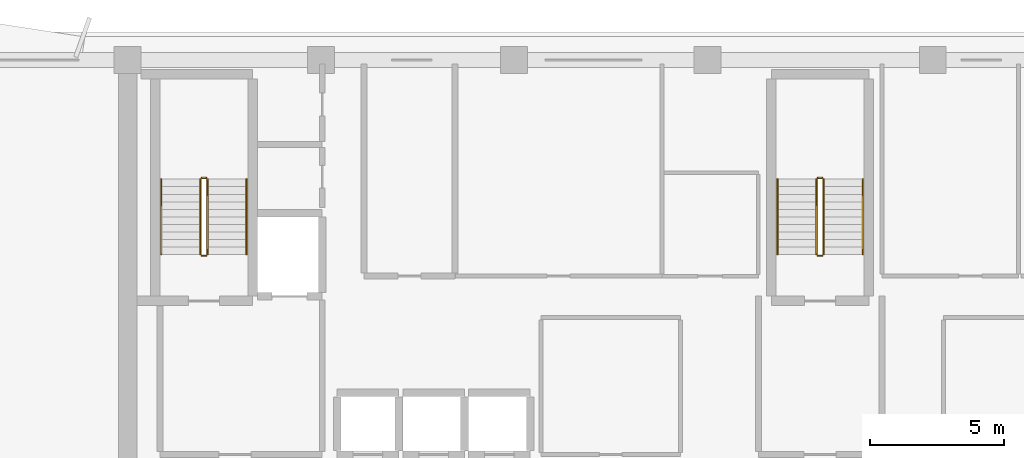
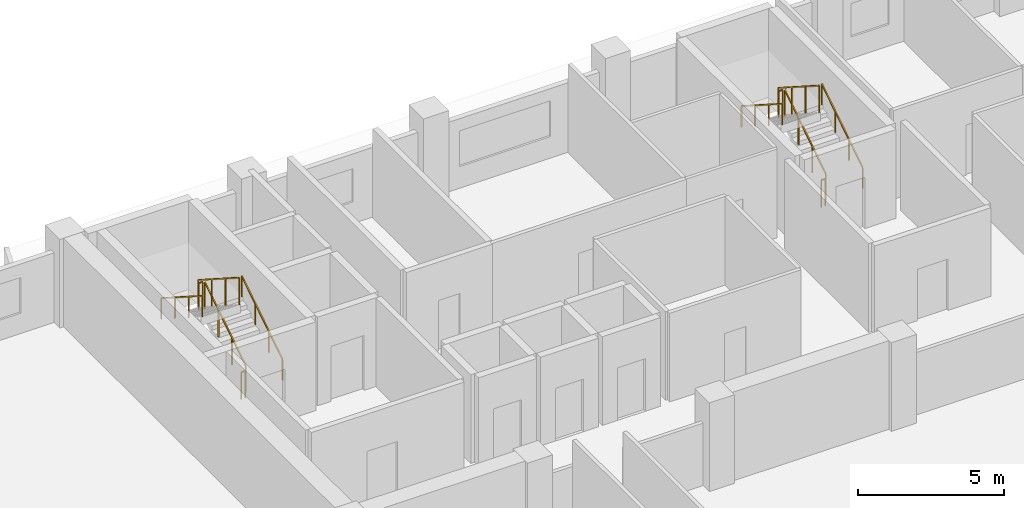
# One storey, part 10 of 11: 12 railings.
"""IFC4 building model written with IfcOpenShell, lengths in metres."""

import ifcopenshell
import ifcopenshell.guid

model = None  # the IFC model being written
_history = None  # IfcOwnerHistory: only IFC2X3 demands one
_inside = {}  # id of a spatial element -> (the spatial element, [elements in it])
_under = {}  # id of a project, library or spatial element -> (it, [spatial elements below it])
_declared = {}  # id of a project -> (the project, [libraries it declares])
_typed = {}  # id of a type object -> (the type object, [elements of that type])
_made_of = {}  # id of a material, layer set ... -> (it, [elements and type objects made of it])


def new_model(schema):
    """Start an empty IFC model of exactly this schema.

    Asked for "IFC4X3", IfcOpenShell would pick the latest addendum, in which some entities
    have other attributes; the version numbers below select the first issue.
    IFC2X3 requires an IfcOwnerHistory on every rooted entity: one is made here for all.
    """
    global model, _history
    if schema == "IFC4X3":
        model = ifcopenshell.file(schema_version=(4, 3, 0, 0))
    else:
        model = ifcopenshell.file(schema=schema)
    _inside.clear()
    _under.clear()
    _declared.clear()
    _typed.clear()
    _made_of.clear()
    _history = None
    if model.schema == "IFC2X3":
        org = make("IfcOrganization", Name="unknown")
        user = make(
            "IfcPersonAndOrganization",
            ThePerson=make("IfcPerson", FamilyName="unknown"),
            TheOrganization=org,
        )
        app = make(
            "IfcApplication",
            ApplicationDeveloper=org,
            Version="unknown",
            ApplicationFullName="unknown",
            ApplicationIdentifier="unknown",
        )
        _history = make(
            "IfcOwnerHistory",
            OwningUser=user,
            OwningApplication=app,
            ChangeAction="ADDED",
            CreationDate=0,
        )
    return model


def make(cls, **values):
    """One entity of the class cls with the attributes given. An attribute that is None is left unset."""
    return model.create_entity(
        cls, **{name: value for name, value in values.items() if value is not None}
    )


def rooted(cls, **values):
    """An entity with a GlobalId (a new one), such as an element, a storey or a relation."""
    return make(cls, GlobalId=ifcopenshell.guid.new(), OwnerHistory=_history, **values)


def si_unit(unit_type, name, prefix=None):
    """IfcSIUnit, for example si_unit("LENGTHUNIT", "METRE", prefix="MILLI")."""
    return make("IfcSIUnit", UnitType=unit_type, Prefix=prefix, Name=name)


def assignment(units):
    """IfcUnitAssignment: the units of a project."""
    return None if units is None else make("IfcUnitAssignment", Units=units)


def point(xyz):
    """IfcCartesianPoint."""
    return None if xyz is None else make("IfcCartesianPoint", Coordinates=xyz)


def direction(xyz):
    """IfcDirection."""
    return None if xyz is None else make("IfcDirection", DirectionRatios=xyz)


def frame(location, z_axis=None, x_axis=None):
    """IfcAxis2Placement3D, a coordinate frame: its origin and axes. An axis left out is left unset."""
    return make(
        "IfcAxis2Placement3D",
        Location=point(location),
        Axis=direction(z_axis),
        RefDirection=direction(x_axis),
    )


def frame_2d(location, x_axis=None):
    """IfcAxis2Placement2D, a coordinate frame in the plane: its origin and x axis."""
    return make(
        "IfcAxis2Placement2D", Location=point(location), RefDirection=direction(x_axis)
    )


def origin():
    """The frame at (0, 0, 0) with its axes left unset."""
    return frame((0.0, 0.0, 0.0))


def origin_2d():
    """The frame at (0, 0) in the plane with its x axis left unset."""
    return frame_2d((0.0, 0.0))


def place(relative_to, where):
    """IfcLocalPlacement: puts the frame where relative to a parent placement (None: the world)."""
    return make(
        "IfcLocalPlacement", PlacementRelTo=relative_to, RelativePlacement=where
    )


def context(
    kind, dimensions, precision=None, world=None, true_north=None, identifier=None
):
    """IfcGeometricRepresentationContext, for example the 3D "Model" context."""
    return make(
        "IfcGeometricRepresentationContext",
        ContextIdentifier=identifier,
        ContextType=kind,
        CoordinateSpaceDimension=dimensions,
        Precision=precision,
        WorldCoordinateSystem=world,
        TrueNorth=true_north,
    )


def subcontext(parent, identifier, kind, view, scale=None):
    """IfcGeometricRepresentationSubContext, for example "Body" below "Model"."""
    return make(
        "IfcGeometricRepresentationSubContext",
        ContextIdentifier=identifier,
        ContextType=kind,
        ParentContext=parent,
        TargetScale=scale,
        TargetView=view,
    )


def project(units=None, contexts=None):
    """IfcProject with its units and contexts."""
    return rooted(
        "IfcProject",
        Name="project",
        RepresentationContexts=contexts,
        UnitsInContext=assignment(units),
    )


def spatial(cls, under=None, at=None, **own):
    """A site, building, storey or space (cls), placed at a placement, below another one or the project."""
    s = rooted(cls, ObjectPlacement=at, **own)
    if under is not None:
        _under.setdefault(under.id(), (under, []))[1].append(s)
    return s


def profile(cls, at=None, kind="AREA", **sizes):
    """A parametric profile (cls). Its sizes go by their IFC names, for example OverallWidth=200.0."""
    return make(cls, ProfileType=kind, Position=at, **sizes)


def rectangle(**sizes):
    """IfcRectangleProfileDef."""
    return profile("IfcRectangleProfileDef", **sizes)


def extrude(swept, where, along, depth):
    """IfcExtrudedAreaSolid: the profile swept, set in the frame where, extruded along a direction by depth."""
    return make(
        "IfcExtrudedAreaSolid",
        SweptArea=swept,
        Position=where,
        ExtrudedDirection=direction(along),
        Depth=depth,
    )


def shape(context_of_items, identifier, shape_type, items):
    """IfcShapeRepresentation: the items that make up one representation, for example the "Body"."""
    return make(
        "IfcShapeRepresentation",
        ContextOfItems=context_of_items,
        RepresentationIdentifier=identifier,
        RepresentationType=shape_type,
        Items=items,
    )


def material(Name=None, Category=None):
    """IfcMaterial."""
    return make("IfcMaterial", Name=Name, Category=Category)


def made_of(thing, what):
    """Note that an element or type object is made of a material, layer set ...; save() writes the relation."""
    if what is not None:
        _made_of.setdefault(what.id(), (what, []))[1].append(thing)
    return thing


def type_object(cls, material=None, **own):
    """A type object (cls), such as IfcWallType, which elements share."""
    return made_of(rooted(cls, **own), material)


def element(
    cls,
    number,
    at=None,
    inside=None,
    cuts=None,
    type_object=None,
    material=None,
    context=None,
    identifier="Body",
    shape_type=None,
    held_by="IfcProductDefinitionShape",
    body=None,
    shapes=None,
    **own,
):
    """One element of the class cls, such as IfcWall. Its Tag is "e" and its number.

    at: its placement. inside: the storey or other place that contains it. cuts: it is an
    opening in that element (IfcRelVoidsElement). A single representation is given by context,
    identifier, shape_type and body (its items); several are given by shapes. held_by: the class
    of the entity that holds the representations. save() writes the other relations.
    """
    e = rooted(cls, Tag="e%d" % number, ObjectPlacement=at, **own)
    if body is not None:
        shapes = [shape(context, identifier, shape_type, body)]
    if shapes is not None:
        e.Representation = make(held_by, Representations=shapes)
    if inside is not None:
        _inside.setdefault(inside.id(), (inside, []))[1].append(e)
    if cuts is not None:
        rooted(
            "IfcRelVoidsElement", RelatingBuildingElement=cuts, RelatedOpeningElement=e
        )
    if type_object is not None:
        _typed.setdefault(type_object.id(), (type_object, []))[1].append(e)
    return made_of(e, material)


def aggregate(whole, parts):
    """IfcRelAggregates: a whole, such as a stair, and the parts it consists of."""
    return rooted("IfcRelAggregates", RelatingObject=whole, RelatedObjects=parts)


def save(model, path):
    """Write the relations noted so far, then the file.

    IfcRelAggregates (storeys below a building ...), IfcRelContainedInSpatialStructure (elements
    in a storey), IfcRelDefinesByType, IfcRelAssociatesMaterial and IfcRelDeclares: one each for
    every whole, place, type object, material and project.
    """
    for whole, parts in _under.values():
        aggregate(whole, parts)
    for where, things in _inside.values():
        rooted(
            "IfcRelContainedInSpatialStructure",
            RelatedElements=things,
            RelatingStructure=where,
        )
    for kind, things in _typed.values():
        rooted("IfcRelDefinesByType", RelatedObjects=things, RelatingType=kind)
    for what, things in _made_of.values():
        rooted("IfcRelAssociatesMaterial", RelatedObjects=things, RelatingMaterial=what)
    for by, libraries in _declared.values():
        rooted("IfcRelDeclares", RelatingContext=by, RelatedDefinitions=libraries)
    model.write(path)


model = new_model("IFC4")

# Units and contexts
model_context = context("Model", 3, precision=1e-05, world=origin(), true_north=direction((0.0, 1.0)))
body_context = subcontext(model_context, "Body", "Model", "MODEL_VIEW")
ifc_project = project(units=[si_unit("LENGTHUNIT", "METRE"), si_unit("AREAUNIT", "SQUARE_METRE"), si_unit("VOLUMEUNIT", "CUBIC_METRE"), si_unit("PLANEANGLEUNIT", "RADIAN"), si_unit("MASSUNIT", "GRAM", prefix="KILO")], contexts=[model_context])

# Site, building, storey
site_placement = place(None, origin())
site = spatial("IfcSite", under=ifc_project, at=site_placement, CompositionType="ELEMENT")
building_placement = place(site_placement, origin())
building = spatial("IfcBuilding", under=site, at=building_placement, Name="Kaelvorn Grand Hotel", CompositionType="ELEMENT")
storey_placement = place(building_placement, frame((0.0, 0.0, 237.050048828125)))
storey = spatial("IfcBuildingStorey", under=building, at=storey_placement, Name="L58", CompositionType="ELEMENT", Elevation=237.050048828125)

# Railings
ifc_material = material(Name="Stainless Steel", Category="steel")
railing_type_1 = type_object("IfcRailingType", Name="RL-HANDRAIL-900", PredefinedType="HANDRAIL", material=ifc_material)
railing_1_placement = place(storey_placement, frame((20.6298828125, 41.760009765625, 0.179443359375)))
element("IfcRailing", 1, at=railing_1_placement, inside=storey, type_object=railing_type_1, Name="L58 ST1 stair handrail 1", PredefinedType="HANDRAIL", context=body_context, shape_type="SweptSolid", body=[
    extrude(rectangle(XDim=0.048095703125, YDim=0.048095703125, at=origin_2d()), frame((0.0, 0.0, 0.8759765625), z_axis=(0.0, 0.841809871826, 0.539774156196), x_axis=(-1.0, 0.0, 0.0)), (0.0, 0.0, 1.0), 3.326171875),
    extrude(rectangle(XDim=0.0419921875, YDim=0.0419921875, at=origin_2d()), origin(), (0.0, 0.0, 1.0), 0.851806640625),
    extrude(rectangle(XDim=0.0419921875, YDim=0.0419921875, at=origin_2d()), frame((0.0, 0.933349609375, 0.598388671875)), (0.0, 0.0, 1.0), 0.851806640625),
    extrude(rectangle(XDim=0.0419921875, YDim=0.0419921875, at=origin_2d()), frame((0.0, 1.86669921875, 1.197021484375)), (0.0, 0.0, 1.0), 0.851806640625),
    extrude(rectangle(XDim=0.0419921875, YDim=0.0419921875, at=origin_2d()), frame((0.0, 2.800048828125, 1.79541015625)), (0.0, 0.0, 1.0), 0.851806640625),
])
railing_2_placement = place(storey_placement, frame((17.449951171875, 44.56005859375, 2.154541015625)))
element("IfcRailing", 2, at=railing_2_placement, inside=storey, type_object=railing_type_1, Name="L58 ST1 stair handrail 2", PredefinedType="HANDRAIL", context=body_context, shape_type="SweptSolid", body=[
    extrude(rectangle(XDim=0.048095703125, YDim=0.048095703125, at=origin_2d()), frame((0.0, 0.0, 0.8759765625), z_axis=(0.0, -0.841809871826, 0.539774156196), x_axis=(1.0, 0.0, 0.0)), (0.0, 0.0, 1.0), 3.326171875),
    extrude(rectangle(XDim=0.0419921875, YDim=0.0419921875, at=origin_2d()), origin(), (0.0, 0.0, 1.0), 0.851806640625),
    extrude(rectangle(XDim=0.0419921875, YDim=0.0419921875, at=origin_2d()), frame((0.0, -0.933349609375, 0.598388671875)), (0.0, 0.0, 1.0), 0.851806640625),
    extrude(rectangle(XDim=0.0419921875, YDim=0.0419921875, at=origin_2d()), frame((0.0, -1.86669921875, 1.197021484375)), (0.0, 0.0, 1.0), 0.851806640625),
    extrude(rectangle(XDim=0.0419921875, YDim=0.0419921875, at=origin_2d()), frame((0.0, -2.800048828125, 1.79541015625)), (0.0, 0.0, 1.0), 0.851806640625),
])
railing_3_placement = place(storey_placement, frame((43.590087890625, 41.760009765625, 0.179443359375)))
element("IfcRailing", 3, at=railing_3_placement, inside=storey, type_object=railing_type_1, Name="L58 ST2 stair handrail 1", PredefinedType="HANDRAIL", context=body_context, shape_type="SweptSolid", body=[
    extrude(rectangle(XDim=0.048095703125, YDim=0.048095703125, at=origin_2d()), frame((0.0, 0.0, 0.8759765625), z_axis=(0.0, 0.841809871826, 0.539774156196), x_axis=(-1.0, 0.0, 0.0)), (0.0, 0.0, 1.0), 3.326171875),
    extrude(rectangle(XDim=0.0419921875, YDim=0.0419921875, at=origin_2d()), origin(), (0.0, 0.0, 1.0), 0.851806640625),
    extrude(rectangle(XDim=0.0419921875, YDim=0.0419921875, at=origin_2d()), frame((0.0, 0.933349609375, 0.598388671875)), (0.0, 0.0, 1.0), 0.851806640625),
    extrude(rectangle(XDim=0.0419921875, YDim=0.0419921875, at=origin_2d()), frame((0.0, 1.86669921875, 1.197021484375)), (0.0, 0.0, 1.0), 0.851806640625),
    extrude(rectangle(XDim=0.0419921875, YDim=0.0419921875, at=origin_2d()), frame((0.0, 2.800048828125, 1.79541015625)), (0.0, 0.0, 1.0), 0.851806640625),
])
railing_4_placement = place(storey_placement, frame((40.409912109375, 44.56005859375, 2.154541015625)))
element("IfcRailing", 4, at=railing_4_placement, inside=storey, type_object=railing_type_1, Name="L58 ST2 stair handrail 2", PredefinedType="HANDRAIL", context=body_context, shape_type="SweptSolid", body=[
    extrude(rectangle(XDim=0.048095703125, YDim=0.048095703125, at=origin_2d()), frame((0.0, 0.0, 0.8759765625), z_axis=(0.0, -0.841809871826, 0.539774156196), x_axis=(1.0, 0.0, 0.0)), (0.0, 0.0, 1.0), 3.326171875),
    extrude(rectangle(XDim=0.0419921875, YDim=0.0419921875, at=origin_2d()), origin(), (0.0, 0.0, 1.0), 0.851806640625),
    extrude(rectangle(XDim=0.0419921875, YDim=0.0419921875, at=origin_2d()), frame((0.0, -0.933349609375, 0.598388671875)), (0.0, 0.0, 1.0), 0.851806640625),
    extrude(rectangle(XDim=0.0419921875, YDim=0.0419921875, at=origin_2d()), frame((0.0, -1.86669921875, 1.197021484375)), (0.0, 0.0, 1.0), 0.851806640625),
    extrude(rectangle(XDim=0.0419921875, YDim=0.0419921875, at=origin_2d()), frame((0.0, -2.800048828125, 1.79541015625)), (0.0, 0.0, 1.0), 0.851806640625),
])
railing_type_2 = type_object("IfcRailingType", Name="RL-STAIR-GUARD-1150", PredefinedType="BALUSTRADE", material=ifc_material)
railing_5_placement = place(storey_placement, frame((19.169921875, 41.760009765625, 0.179443359375)))
element("IfcRailing", 5, at=railing_5_placement, inside=storey, type_object=railing_type_2, Name="L58 ST1 stair guard 1", PredefinedType="BALUSTRADE", context=body_context, shape_type="SweptSolid", body=[
    extrude(rectangle(XDim=0.048095703125, YDim=0.048095703125, at=origin_2d()), frame((0.0, 0.0, 1.1259765625), z_axis=(0.0, 0.841809871826, 0.539774156196), x_axis=(-1.0, 0.0, 0.0)), (0.0, 0.0, 1.0), 3.326171875),
    extrude(rectangle(XDim=0.0419921875, YDim=0.0419921875, at=origin_2d()), origin(), (0.0, 0.0, 1.0), 1.101806640625),
    extrude(rectangle(XDim=0.0419921875, YDim=0.0419921875, at=origin_2d()), frame((0.0, 0.933349609375, 0.598388671875)), (0.0, 0.0, 1.0), 1.101806640625),
    extrude(rectangle(XDim=0.0419921875, YDim=0.0419921875, at=origin_2d()), frame((0.0, 1.86669921875, 1.197021484375)), (0.0, 0.0, 1.0), 1.101806640625),
    extrude(rectangle(XDim=0.0419921875, YDim=0.0419921875, at=origin_2d()), frame((0.0, 2.800048828125, 1.79541015625)), (0.0, 0.0, 1.0), 1.101806640625),
])
railing_6_placement = place(storey_placement, frame((19.1201171875, 44.610107421875, 1.974853515625)))
element("IfcRailing", 6, at=railing_6_placement, inside=storey, type_object=railing_type_2, Name="L58 ST1 stair guard 2", PredefinedType="BALUSTRADE", context=body_context, shape_type="SweptSolid", body=[
    extrude(rectangle(XDim=0.048095703125, YDim=0.048095703125, at=origin_2d()), frame((0.0, 0.0, 1.1259765625), z_axis=(-1.0, 0.0, 0.0), x_axis=(0.0, -1.0, 0.0)), (0.0, 0.0, 1.0), 0.16015625),
    extrude(rectangle(XDim=0.0419921875, YDim=0.0419921875, at=origin_2d()), origin(), (0.0, 0.0, 1.0), 1.101806640625),
    extrude(rectangle(XDim=0.0419921875, YDim=0.0419921875, at=origin_2d()), frame((-0.16015625, 0.0, 0.0)), (0.0, 0.0, 1.0), 1.101806640625),
])
railing_7_placement = place(storey_placement, frame((18.909912109375, 44.56005859375, 2.154541015625)))
element("IfcRailing", 7, at=railing_7_placement, inside=storey, type_object=railing_type_2, Name="L58 ST1 stair guard 3", PredefinedType="BALUSTRADE", context=body_context, shape_type="SweptSolid", body=[
    extrude(rectangle(XDim=0.048095703125, YDim=0.048095703125, at=origin_2d()), frame((0.0, 0.0, 1.1259765625), z_axis=(0.0, -0.841809871826, 0.539774156196), x_axis=(1.0, 0.0, 0.0)), (0.0, 0.0, 1.0), 3.326171875),
    extrude(rectangle(XDim=0.0419921875, YDim=0.0419921875, at=origin_2d()), origin(), (0.0, 0.0, 1.0), 1.101806640625),
    extrude(rectangle(XDim=0.0419921875, YDim=0.0419921875, at=origin_2d()), frame((0.0, -0.933349609375, 0.598388671875)), (0.0, 0.0, 1.0), 1.101806640625),
    extrude(rectangle(XDim=0.0419921875, YDim=0.0419921875, at=origin_2d()), frame((0.0, -1.86669921875, 1.197021484375)), (0.0, 0.0, 1.0), 1.101806640625),
    extrude(rectangle(XDim=0.0419921875, YDim=0.0419921875, at=origin_2d()), frame((0.0, -2.800048828125, 1.79541015625)), (0.0, 0.0, 1.0), 1.101806640625),
])
railing_8_placement = place(storey_placement, frame((19.1201171875, 41.7099609375, 0.0)))
element("IfcRailing", 8, at=railing_8_placement, inside=storey, type_object=railing_type_2, Name="L58 ST1 stair guard 4", PredefinedType="BALUSTRADE", context=body_context, shape_type="SweptSolid", body=[
    extrude(rectangle(XDim=0.048095703125, YDim=0.048095703125, at=origin_2d()), frame((0.0, 0.0, 1.1259765625), z_axis=(-1.0, 0.0, 0.0), x_axis=(0.0, -1.0, 0.0)), (0.0, 0.0, 1.0), 0.16015625),
    extrude(rectangle(XDim=0.0419921875, YDim=0.0419921875, at=origin_2d()), origin(), (0.0, 0.0, 1.0), 1.101806640625),
    extrude(rectangle(XDim=0.0419921875, YDim=0.0419921875, at=origin_2d()), frame((-0.16015625, 0.0, 0.0)), (0.0, 0.0, 1.0), 1.101806640625),
])
railing_9_placement = place(storey_placement, frame((42.1298828125, 41.760009765625, 0.179443359375)))
element("IfcRailing", 9, at=railing_9_placement, inside=storey, type_object=railing_type_2, Name="L58 ST2 stair guard 1", PredefinedType="BALUSTRADE", context=body_context, shape_type="SweptSolid", body=[
    extrude(rectangle(XDim=0.048095703125, YDim=0.048095703125, at=origin_2d()), frame((0.0, 0.0, 1.1259765625), z_axis=(0.0, 0.841809871826, 0.539774156196), x_axis=(-1.0, 0.0, 0.0)), (0.0, 0.0, 1.0), 3.326171875),
    extrude(rectangle(XDim=0.0419921875, YDim=0.0419921875, at=origin_2d()), origin(), (0.0, 0.0, 1.0), 1.101806640625),
    extrude(rectangle(XDim=0.0419921875, YDim=0.0419921875, at=origin_2d()), frame((0.0, 0.933349609375, 0.598388671875)), (0.0, 0.0, 1.0), 1.101806640625),
    extrude(rectangle(XDim=0.0419921875, YDim=0.0419921875, at=origin_2d()), frame((0.0, 1.86669921875, 1.197021484375)), (0.0, 0.0, 1.0), 1.101806640625),
    extrude(rectangle(XDim=0.0419921875, YDim=0.0419921875, at=origin_2d()), frame((0.0, 2.800048828125, 1.79541015625)), (0.0, 0.0, 1.0), 1.101806640625),
])
railing_10_placement = place(storey_placement, frame((42.080078125, 44.610107421875, 1.974853515625)))
element("IfcRailing", 10, at=railing_10_placement, inside=storey, type_object=railing_type_2, Name="L58 ST2 stair guard 2", PredefinedType="BALUSTRADE", context=body_context, shape_type="SweptSolid", body=[
    extrude(rectangle(XDim=0.048095703125, YDim=0.048095703125, at=origin_2d()), frame((0.0, 0.0, 1.1259765625), z_axis=(-1.0, 0.0, 0.0), x_axis=(0.0, -1.0, 0.0)), (0.0, 0.0, 1.0), 0.16015625),
    extrude(rectangle(XDim=0.0419921875, YDim=0.0419921875, at=origin_2d()), origin(), (0.0, 0.0, 1.0), 1.101806640625),
    extrude(rectangle(XDim=0.0419921875, YDim=0.0419921875, at=origin_2d()), frame((-0.16015625, 0.0, 0.0)), (0.0, 0.0, 1.0), 1.101806640625),
])
railing_11_placement = place(storey_placement, frame((41.8701171875, 44.56005859375, 2.154541015625)))
element("IfcRailing", 11, at=railing_11_placement, inside=storey, type_object=railing_type_2, Name="L58 ST2 stair guard 3", PredefinedType="BALUSTRADE", context=body_context, shape_type="SweptSolid", body=[
    extrude(rectangle(XDim=0.048095703125, YDim=0.048095703125, at=origin_2d()), frame((0.0, 0.0, 1.1259765625), z_axis=(0.0, -0.841809871826, 0.539774156196), x_axis=(1.0, 0.0, 0.0)), (0.0, 0.0, 1.0), 3.326171875),
    extrude(rectangle(XDim=0.0419921875, YDim=0.0419921875, at=origin_2d()), origin(), (0.0, 0.0, 1.0), 1.101806640625),
    extrude(rectangle(XDim=0.0419921875, YDim=0.0419921875, at=origin_2d()), frame((0.0, -0.933349609375, 0.598388671875)), (0.0, 0.0, 1.0), 1.101806640625),
    extrude(rectangle(XDim=0.0419921875, YDim=0.0419921875, at=origin_2d()), frame((0.0, -1.86669921875, 1.197021484375)), (0.0, 0.0, 1.0), 1.101806640625),
    extrude(rectangle(XDim=0.0419921875, YDim=0.0419921875, at=origin_2d()), frame((0.0, -2.800048828125, 1.79541015625)), (0.0, 0.0, 1.0), 1.101806640625),
])
railing_12_placement = place(storey_placement, frame((42.080078125, 41.7099609375, 0.0)))
element("IfcRailing", 12, at=railing_12_placement, inside=storey, type_object=railing_type_2, Name="L58 ST2 stair guard 4", PredefinedType="BALUSTRADE", context=body_context, shape_type="SweptSolid", body=[
    extrude(rectangle(XDim=0.048095703125, YDim=0.048095703125, at=origin_2d()), frame((0.0, 0.0, 1.1259765625), z_axis=(-1.0, 0.0, 0.0), x_axis=(0.0, -1.0, 0.0)), (0.0, 0.0, 1.0), 0.16015625),
    extrude(rectangle(XDim=0.0419921875, YDim=0.0419921875, at=origin_2d()), origin(), (0.0, 0.0, 1.0), 1.101806640625),
    extrude(rectangle(XDim=0.0419921875, YDim=0.0419921875, at=origin_2d()), frame((-0.16015625, 0.0, 0.0)), (0.0, 0.0, 1.0), 1.101806640625),
])

save(model, "model.ifc")
